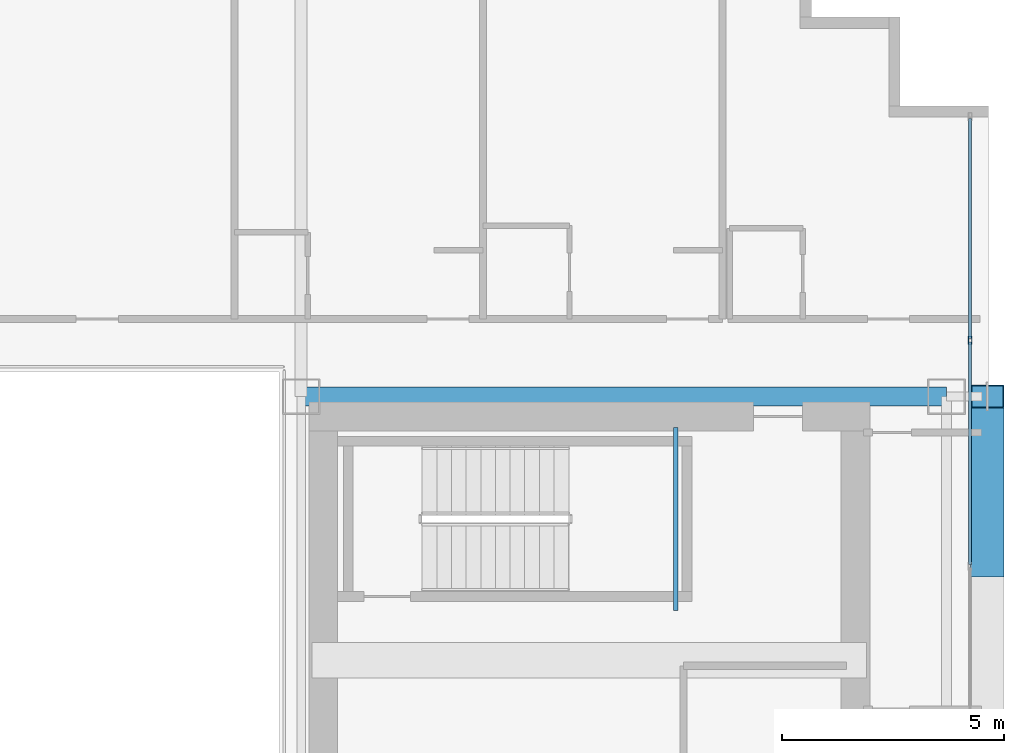
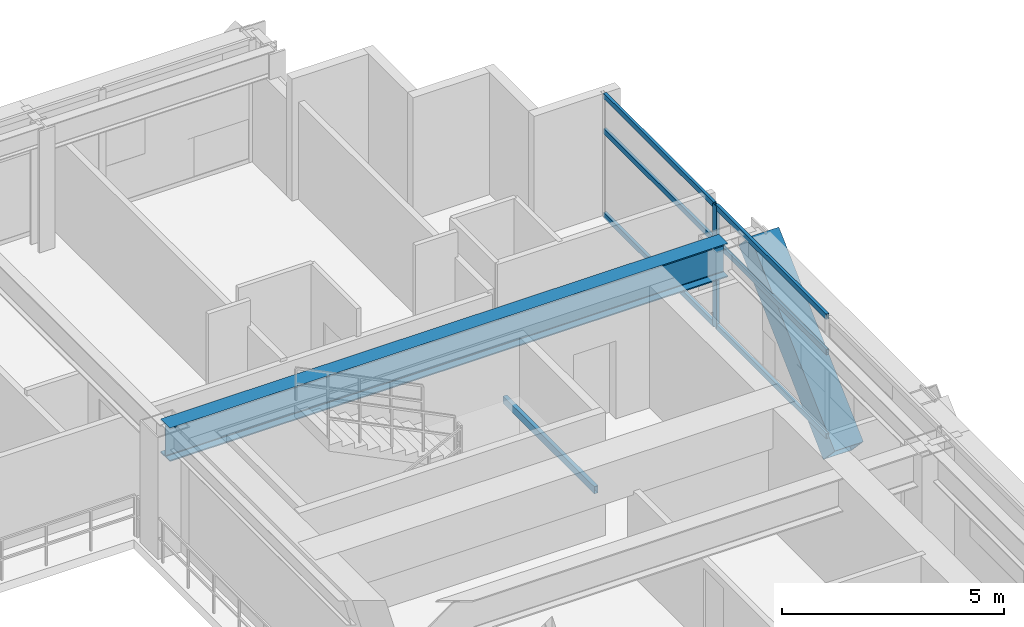
# One storey, part 20 of 35: 8 members, 2 beams, 1 element without a shape of its own.
"""IFC4 building model written with IfcOpenShell, lengths in metres."""

from ifc_helpers import new_model, si_unit, direction, frame, origin, origin_2d, place, context, subcontext, project, spatial, hollow_rectangle, i_section, extrude, source, transform, mapped, material, layer, layer_set, material_profile, profile_set, type_object, element, aggregate, save


model = new_model("IFC4")

# Units and contexts
model_context = context("Model", 3, precision=1e-05, world=origin(), true_north=direction((0.0, 1.0)))
body_context = subcontext(model_context, "Body", "Model", "MODEL_VIEW")
ifc_project = project(units=[si_unit("LENGTHUNIT", "METRE"), si_unit("AREAUNIT", "SQUARE_METRE"), si_unit("VOLUMEUNIT", "CUBIC_METRE"), si_unit("PLANEANGLEUNIT", "RADIAN"), si_unit("MASSUNIT", "GRAM", prefix="KILO")], contexts=[model_context])

# Site, building, storey
site_placement = place(None, origin())
site = spatial("IfcSite", under=ifc_project, at=site_placement, CompositionType="ELEMENT")
building_placement = place(site_placement, origin())
building = spatial("IfcBuilding", under=site, at=building_placement, Name="Ocotamira Hotel", CompositionType="ELEMENT")
storey_placement = place(building_placement, frame((0.0, 0.0, 122.39990234375)))
storey = spatial("IfcBuildingStorey", under=building, at=storey_placement, Name="L30", CompositionType="ELEMENT", Elevation=122.39990234375)

# Beams
ifc_material_1 = material(Name="Steel ASTM A500 Grade C", Category="steel")
ifc_material_profile_1 = material_profile(ifc_material_1, hollow_rectangle(XDim=0.10009765625, YDim=0.199951171875, WallThickness=0.008056640625, at=origin_2d()), Name="HSS200X100X8")
ifc_profile_set_1 = profile_set([ifc_material_profile_1], Name="Steel ASTM A500 Grade C")
beam_type_1 = type_object("IfcBeamType", Name="BM-STLDG-HSS200", PredefinedType="BEAM", material=ifc_profile_set_1)
shared_shape_1 = source(origin(), body_context, "Body", "SweptSolid", [
    extrude(hollow_rectangle(XDim=0.10009765625, YDim=0.199951171875, WallThickness=0.008056640625, at=origin_2d()), origin(), (0.0, 0.0, 1.0), 4.1201171875),
])
beam_1_placement = place(storey_placement, frame((48.949951171875, 32.6298828125, 1.5), z_axis=(0.0, 1.0, 0.0), x_axis=(-1.0, 0.0, 0.0)))
element("IfcBeam", 1, at=beam_1_placement, inside=storey, type_object=beam_type_1, Name="L30 Stair ST-4 Landing Bearer 1", PredefinedType="BEAM", context=body_context, shape_type="MappedRepresentation", body=[
    mapped(shared_shape_1, transform((0.0, 0.0, 0.0), scale=1.0)),
])
ifc_material_2 = material(Name="Steel ASTM A992 Grade 50", Category="steel")
ifc_material_profile_2 = material_profile(ifc_material_2, i_section(OverallWidth=0.41796875, OverallDepth=0.927001953125, WebThickness=0.019287109375, FlangeThickness=0.031982421875, FilletRadius=0.02392578125, at=origin_2d()), Name="W36X231")
ifc_profile_set_2 = profile_set([ifc_material_profile_2], Name="Steel ASTM A992 Grade 50")
beam_type_2 = type_object("IfcBeamType", Name="BM-GIRD-W36X231", PredefinedType="BEAM", material=ifc_profile_set_2)
shared_shape_2 = source(origin(), body_context, "Body", "SweptSolid", [
    extrude(i_section(OverallWidth=0.41796875, OverallDepth=0.927001953125, WebThickness=0.019287109375, FlangeThickness=0.031982421875, FilletRadius=0.02392578125, at=origin_2d()), origin(), (0.0, 0.0, 1.0), 14.550048828125),
])
beam_2_placement = place(storey_placement, frame((40.5, 37.449951171875, 2.896484375), z_axis=(1.0, 0.0, 0.0), x_axis=(0.0, 1.0, 0.0)))
element("IfcBeam", 2, at=beam_2_placement, inside=storey, type_object=beam_type_2, Name="L30 Girder Y37.45 X40.5-55.05", PredefinedType="BEAM", context=body_context, shape_type="MappedRepresentation", body=[
    mapped(shared_shape_2, transform((0.0, 0.0, 0.0), scale=1.0)),
])

# Member
ifc_material_3 = material(Name="Pale-metal coated steel ASTM A913 Grade 65", Category="steel")
ifc_material_profile_3 = material_profile(ifc_material_3, hollow_rectangle(XDim=0.75, YDim=0.75, WallThickness=0.028076171875, at=origin_2d()), Name="BOX750X750X28")
ifc_profile_set_3 = profile_set([ifc_material_profile_3], Name="Pale-metal coated steel ASTM A913 Grade 65")
member_type_1 = type_object("IfcMemberType", Name="MEM-EXO-BOX750", PredefinedType="BRACE", material=ifc_profile_set_3)
shared_shape_3 = source(origin(), body_context, "Body", "SweptSolid", [
    extrude(hollow_rectangle(XDim=0.75, YDim=0.75, WallThickness=0.028076171875, at=origin_2d()), origin(), (0.0, 0.0, 1.0), 5.24658203125),
])
member_1_placement = place(storey_placement, frame((55.969970703125, 33.63330078125, -0.489990234375), z_axis=(0.0, 0.727442733726, 0.686168397078), x_axis=(-1.0, 0.0, 0.0)))
element("IfcMember", 3, at=member_1_placement, inside=storey, type_object=member_type_1, Name="L30 Exoskeleton Diagrid E2.2", PredefinedType="BRACE", context=body_context, shape_type="MappedRepresentation", body=[
    mapped(shared_shape_3, transform((0.0, 0.0, 0.0), scale=1.0)),
])

# Curtain wall, members
ifc_material_4 = material(Name="Anodised pale-metal aluminium and solar glass", Category="aluminium")
ifc_layer = layer(ifc_material_4, 0.179931640625)
ifc_layer_set = layer_set([ifc_layer], Name="Anodised pale-metal aluminium and solar glass")
curtain_wall_type = type_object("IfcCurtainWallType", Name="CW-SYS3-Z2", PredefinedType="NOTDEFINED", material=ifc_layer_set)
curtain_wall_placement = place(storey_placement, origin())
curtain_wall = element("IfcCurtainWall", 4, at=curtain_wall_placement, inside=storey, type_object=curtain_wall_type, Name="L30 Curtain Wall CW-3 CW-L30-E", PredefinedType="NOTDEFINED")
ifc_material_5 = material(Name="Anodised pale-metal aluminium 6063-T6", Category="aluminium")
ifc_material_profile_4 = material_profile(ifc_material_5, hollow_rectangle(XDim=0.074951171875, YDim=0.14990234375, WallThickness=0.006103515625, at=origin_2d()), Name="HSS150X75X6")
ifc_profile_set_4 = profile_set([ifc_material_profile_4], Name="Anodised pale-metal aluminium 6063-T6")
member_type_2 = type_object("IfcMemberType", Name="CWT-150X75", PredefinedType="USERDEFINED", material=ifc_profile_set_4)
shared_shape_4 = source(origin(), body_context, "Body", "SweptSolid", [
    extrude(hollow_rectangle(XDim=0.074951171875, YDim=0.14990234375, WallThickness=0.006103515625, at=origin_2d()), origin(), (0.0, 0.0, 1.0), 4.965576171875),
])
member_2_placement = place(storey_placement, frame((55.580078125, 38.75439453125, 0.03759765625), z_axis=(0.0, 1.0, 0.0), x_axis=(-1.0, 0.0, 0.0)))
member_2 = element("IfcMember", 5, at=member_2_placement, type_object=member_type_2, Name="CW-3 transom 7.1", ObjectType="TRANSOM", PredefinedType="USERDEFINED", context=body_context, shape_type="MappedRepresentation", body=[
    mapped(shared_shape_4, transform((0.0, 0.0, 0.0), scale=1.0)),
])
member_3_placement = place(storey_placement, frame((55.580078125, 38.75439453125, 2.35009765625), z_axis=(0.0, 1.0, 0.0), x_axis=(-1.0, 0.0, 0.0)))
member_3 = element("IfcMember", 6, at=member_3_placement, type_object=member_type_2, Name="CW-3 transom 7.2", ObjectType="TRANSOM", PredefinedType="USERDEFINED", context=body_context, shape_type="MappedRepresentation", body=[
    mapped(shared_shape_4, transform((0.0, 0.0, 0.0), scale=1.0)),
])
member_4_placement = place(storey_placement, frame((55.580078125, 38.75439453125, 3.322509765625), z_axis=(0.0, 1.0, 0.0), x_axis=(-1.0, 0.0, 0.0)))
member_4 = element("IfcMember", 7, at=member_4_placement, type_object=member_type_2, Name="CW-3 transom 7.3", ObjectType="TRANSOM", PredefinedType="USERDEFINED", context=body_context, shape_type="MappedRepresentation", body=[
    mapped(shared_shape_4, transform((0.0, 0.0, 0.0), scale=1.0)),
])
shared_shape_5 = source(origin(), body_context, "Body", "SweptSolid", [
    extrude(hollow_rectangle(XDim=0.074951171875, YDim=0.14990234375, WallThickness=0.006103515625, at=origin_2d()), origin(), (0.0, 0.0, 1.0), 5.005859375),
])
member_5_placement = place(storey_placement, frame((55.580078125, 33.66845703125, 0.03759765625), z_axis=(0.0, 1.0, 0.0), x_axis=(-1.0, 0.0, 0.0)))
member_5 = element("IfcMember", 8, at=member_5_placement, type_object=member_type_2, Name="CW-3 transom 6.1", ObjectType="TRANSOM", PredefinedType="USERDEFINED", context=body_context, shape_type="MappedRepresentation", body=[
    mapped(shared_shape_5, transform((0.0, 0.0, 0.0), scale=1.0)),
])
member_6_placement = place(storey_placement, frame((55.580078125, 33.66845703125, 2.35009765625), z_axis=(0.0, 1.0, 0.0), x_axis=(-1.0, 0.0, 0.0)))
member_6 = element("IfcMember", 9, at=member_6_placement, type_object=member_type_2, Name="CW-3 transom 6.2", ObjectType="TRANSOM", PredefinedType="USERDEFINED", context=body_context, shape_type="MappedRepresentation", body=[
    mapped(shared_shape_5, transform((0.0, 0.0, 0.0), scale=1.0)),
])
member_7_placement = place(storey_placement, frame((55.580078125, 33.66845703125, 3.322509765625), z_axis=(0.0, 1.0, 0.0), x_axis=(-1.0, 0.0, 0.0)))
member_7 = element("IfcMember", 10, at=member_7_placement, type_object=member_type_2, Name="CW-3 transom 6.3", ObjectType="TRANSOM", PredefinedType="USERDEFINED", context=body_context, shape_type="MappedRepresentation", body=[
    mapped(shared_shape_5, transform((0.0, 0.0, 0.0), scale=1.0)),
])
ifc_material_profile_5 = material_profile(ifc_material_5, hollow_rectangle(XDim=0.080078125, YDim=0.179931640625, WallThickness=0.006103515625, at=origin_2d()), Name="HSS180X80X6")
ifc_profile_set_5 = profile_set([ifc_material_profile_5], Name="Anodised pale-metal aluminium 6063-T6")
member_type_3 = type_object("IfcMemberType", Name="CWM-180X75", PredefinedType="MULLION", material=ifc_profile_set_5)
shared_shape_6 = source(origin(), body_context, "Body", "SweptSolid", [
    extrude(hollow_rectangle(XDim=0.080078125, YDim=0.179931640625, WallThickness=0.006103515625, at=origin_2d()), origin(), (0.0, 0.0, 1.0), 3.360107421875),
])
member_8_placement = place(storey_placement, frame((55.580078125, 38.71435546875, 0.0), z_axis=(0.0, 0.0, 1.0), x_axis=(-1.0, 0.0, 0.0)))
member_8 = element("IfcMember", 11, at=member_8_placement, type_object=member_type_3, Name="CW-3 mullion 7", PredefinedType="MULLION", context=body_context, shape_type="MappedRepresentation", body=[
    mapped(shared_shape_6, transform((0.0, 0.0, 0.0), scale=1.0)),
])
aggregate(curtain_wall, [member_8, member_5, member_6, member_7, member_2, member_3, member_4])

save(model, "model.ifc")
